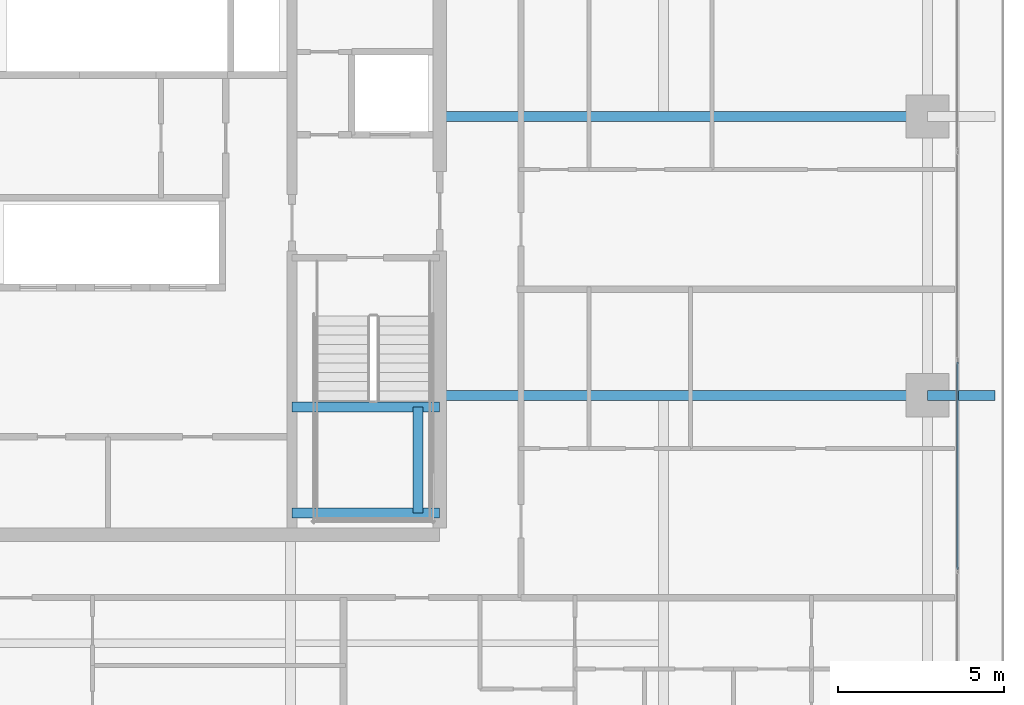
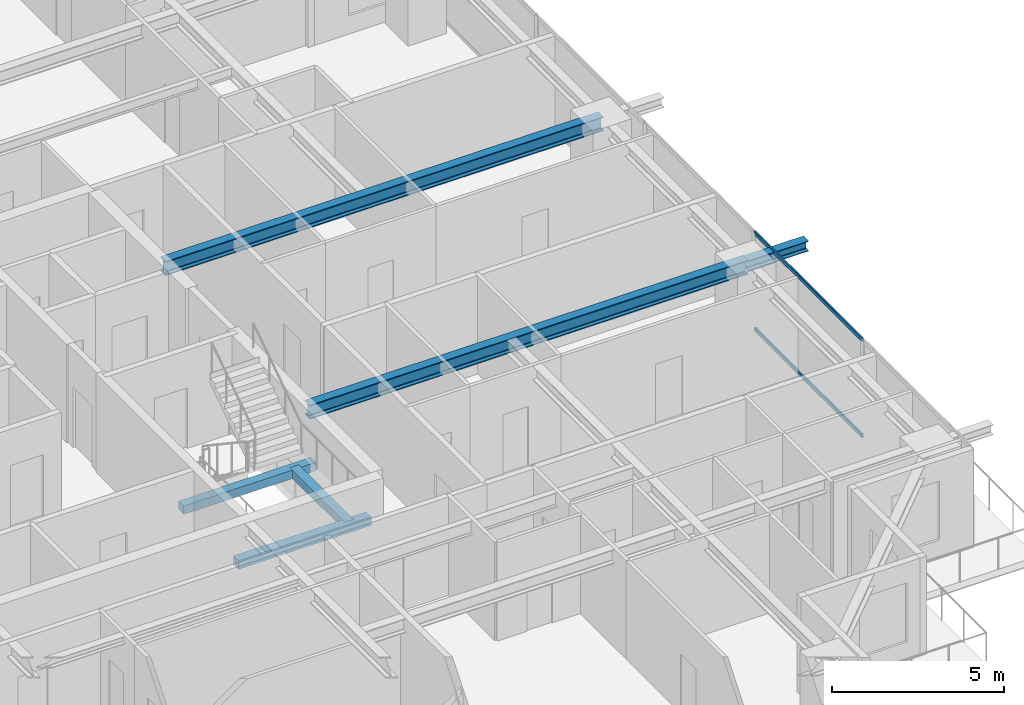
# One storey, part 14 of 39: 6 beams, 2 members, 1 element without a shape of its own.
"""IFC4 building model written with IfcOpenShell, lengths in metres."""

from ifc_helpers import new_model, si_unit, direction, frame, origin, origin_2d, place, context, subcontext, project, spatial, rectangle, hollow_rectangle, i_section, extrude, source, transform, mapped, material, layer, layer_set, material_profile, profile_set, type_object, element, aggregate, save


model = new_model("IFC4")

# Units and contexts
model_context = context("Model", 3, precision=1e-05, world=origin(), true_north=direction((0.0, 1.0)))
body_context = subcontext(model_context, "Body", "Model", "MODEL_VIEW")
ifc_project = project(units=[si_unit("LENGTHUNIT", "METRE"), si_unit("AREAUNIT", "SQUARE_METRE"), si_unit("VOLUMEUNIT", "CUBIC_METRE"), si_unit("PLANEANGLEUNIT", "RADIAN"), si_unit("MASSUNIT", "GRAM", prefix="KILO")], contexts=[model_context])

# Site, building, storey
site_placement = place(None, origin())
site = spatial("IfcSite", under=ifc_project, at=site_placement, CompositionType="ELEMENT")
building_placement = place(site_placement, origin())
building = spatial("IfcBuilding", under=site, at=building_placement, Name="Serunith Strait Residences", CompositionType="ELEMENT")
storey_placement = place(building_placement, frame((0.0, 0.0, 123.89990234375)))
storey = spatial("IfcBuildingStorey", under=building, at=storey_placement, Name="L30", CompositionType="ELEMENT", Elevation=123.89990234375)

# Beams
ifc_material_1 = material(Name="Steel S355J2", Category="steel")
ifc_material_profile_1 = material_profile(ifc_material_1, i_section(OverallWidth=0.300048828125, OverallDepth=0.5, WebThickness=0.014404296875, FlangeThickness=0.028076171875, FilletRadius=0.027099609375, at=origin_2d()), Name="HEB 500")
ifc_profile_set_1 = profile_set([ifc_material_profile_1], Name="Steel S355J2")
beam_type_1 = type_object("IfcBeamType", Name="BM-HEB500", PredefinedType="BEAM", material=ifc_profile_set_1)
shared_shape_1 = source(origin(), body_context, "Body", "SweptSolid", [
    extrude(i_section(OverallWidth=0.300048828125, OverallDepth=0.5, WebThickness=0.014404296875, FlangeThickness=0.028076171875, FilletRadius=0.027099609375, at=origin_2d()), origin(), (0.0, 0.0, 1.0), 14.7001953125),
])
for number, where, z_axis, x_axis, name in (
    (1, (41.39990234375, 21.0, 3.237060546875), (1.0, 0.0, 0.0), (0.0, 1.0, 0.0), "L30 Primary Floor Girder TC-E2"),
    (2, (41.39990234375, 29.39990234375, 3.237060546875), (1.0, 0.0, 0.0), (0.0, 1.0, 0.0), "L30 Primary Floor Girder TC-E3"),
):
    element("IfcBeam", number, at=place(storey_placement, frame(where, z_axis=z_axis, x_axis=x_axis)), inside=storey, type_object=beam_type_1, Name=name, PredefinedType="BEAM", context=body_context, shape_type="MappedRepresentation", body=[
        mapped(shared_shape_1, transform((0.0, 0.0, 0.0), scale=1.0)),
    ])
ifc_material_profile_2 = material_profile(ifc_material_1, i_section(OverallWidth=0.300048828125, OverallDepth=0.360107421875, WebThickness=0.012451171875, FlangeThickness=0.0224609375, FilletRadius=0.027099609375, at=origin_2d()), Name="HEB 360")
ifc_profile_set_2 = profile_set([ifc_material_profile_2], Name="Steel S355J2")
beam_type_2 = type_object("IfcBeamType", Name="BM-HEB360", PredefinedType="BEAM", material=ifc_profile_set_2)
shared_shape_2 = source(origin(), body_context, "Body", "SweptSolid", [
    extrude(i_section(OverallWidth=0.300048828125, OverallDepth=0.360107421875, WebThickness=0.012451171875, FlangeThickness=0.0224609375, FilletRadius=0.027099609375, at=origin_2d()), origin(), (0.0, 0.0, 1.0), 2.02978515625),
])
beam_1_placement = place(storey_placement, frame((56.10009765625, 21.0, 3.277099609375), z_axis=(1.0, 0.0, 0.0), x_axis=(0.0, 1.0, 0.0)))
element("IfcBeam", 3, at=beam_1_placement, inside=storey, type_object=beam_type_2, Name="L31 Cantilevered Balcony Rib TC-E2", PredefinedType="BEAM", context=body_context, shape_type="MappedRepresentation", body=[
    mapped(shared_shape_2, transform((0.0, 0.0, 0.0), scale=1.0)),
])
ifc_material_2 = material(Name="Concrete C60/75", Category="concrete")
ifc_material_profile_3 = material_profile(ifc_material_2, rectangle(XDim=0.300048828125, YDim=0.300048828125, at=origin_2d()), Name="RC 300x300")
ifc_profile_set_3 = profile_set([ifc_material_profile_3], Name="Concrete C60/75")
beam_type_3 = type_object("IfcBeamType", Name="BM-LAND-300x300", PredefinedType="BEAM", material=ifc_profile_set_3)
shared_shape_3 = source(origin(), body_context, "Body", "SweptSolid", [
    extrude(rectangle(XDim=0.300048828125, YDim=0.300048828125, at=origin_2d()), origin(), (0.0, 0.0, 1.0), 3.199951171875),
])
beam_2_placement = place(storey_placement, frame((40.75, 17.449951171875, 1.525146484375), z_axis=(0.0, 1.0, 0.0), x_axis=(-1.0, 0.0, 0.0)))
element("IfcBeam", 4, at=beam_2_placement, inside=storey, type_object=beam_type_3, Name="L30 ST-2 Landing Transverse Tie Beam", PredefinedType="BEAM", context=body_context, shape_type="MappedRepresentation", body=[
    mapped(shared_shape_3, transform((0.0, 0.0, 0.0), scale=1.0)),
])
shared_shape_4 = source(origin(), body_context, "Body", "SweptSolid", [
    extrude(rectangle(XDim=0.300048828125, YDim=0.300048828125, at=origin_2d()), origin(), (0.0, 0.0, 1.0), 4.449951171875),
])
for number, where, z_axis, x_axis, name in (
    (5, (36.949951171875, 17.449951171875, 1.525146484375), (1.0, 0.0, 0.0), (0.0, 1.0, 0.0), "L30 ST-2 Landing Support Beam 1"),
    (6, (36.949951171875, 20.64990234375, 1.525146484375), (1.0, 0.0, 0.0), (0.0, 1.0, 0.0), "L30 ST-2 Landing Support Beam 2"),
):
    element("IfcBeam", number, at=place(storey_placement, frame(where, z_axis=z_axis, x_axis=x_axis)), inside=storey, type_object=beam_type_3, Name=name, PredefinedType="BEAM", context=body_context, shape_type="MappedRepresentation", body=[
        mapped(shared_shape_4, transform((0.0, 0.0, 0.0), scale=1.0)),
    ])

# Curtain wall, members
ifc_material_3 = material(Name="Pale-Champagne Anodised Aluminium", Category="aluminium")
ifc_layer = layer(ifc_material_3, 0.199951171875, Name="Pale-Champagne Anodised Aluminium")
ifc_layer_set = layer_set([ifc_layer], Name="Pale-Champagne Anodised Aluminium")
curtain_wall_type = type_object("IfcCurtainWallType", Name="CW-SYS2", PredefinedType="NOTDEFINED", material=ifc_layer_set)
curtain_wall_placement = place(storey_placement, origin())
curtain_wall = element("IfcCurtainWall", 7, at=curtain_wall_placement, inside=storey, type_object=curtain_wall_type, Name="L30 E Unitised Fritted Curtain Wall", PredefinedType="NOTDEFINED")
ifc_material_profile_4 = material_profile(ifc_material_3, hollow_rectangle(XDim=0.06005859375, YDim=0.139892578125, WallThickness=0.00341796875, InnerFilletRadius=0.00537109375, OuterFilletRadius=0.0087890625, at=origin_2d()), Name="ALU 140x60x3.5")
ifc_profile_set_4 = profile_set([ifc_material_profile_4], Name="Pale-Champagne Anodised Aluminium")
member_type = type_object("IfcMemberType", Name="CW-SYS2-TRAN", PredefinedType="USERDEFINED", material=ifc_profile_set_4)
shared_shape_5 = source(origin(), body_context, "Body", "SweptSolid", [
    extrude(hollow_rectangle(XDim=0.06005859375, YDim=0.139892578125, WallThickness=0.00341796875, InnerFilletRadius=0.00537109375, OuterFilletRadius=0.0087890625, at=origin_2d()), origin(), (0.0, 0.0, 1.0), 6.25),
])
member_1_placement = place(storey_placement, frame((57.0, 15.7548828125, 0.030029296875), z_axis=(0.0, 1.0, 0.0), x_axis=(-1.0, 0.0, 0.0)))
member_1 = element("IfcMember", 8, at=member_1_placement, type_object=member_type, Name="CW-2 transom 2.1", ObjectType="TRANSOM", PredefinedType="USERDEFINED", context=body_context, shape_type="MappedRepresentation", body=[
    mapped(shared_shape_5, transform((0.0, 0.0, 0.0), scale=1.0)),
])
member_2_placement = place(storey_placement, frame((57.0, 15.7548828125, 3.445068359375), z_axis=(0.0, 1.0, 0.0), x_axis=(-1.0, 0.0, 0.0)))
member_2 = element("IfcMember", 9, at=member_2_placement, type_object=member_type, Name="CW-2 transom 2.2", ObjectType="TRANSOM", PredefinedType="USERDEFINED", context=body_context, shape_type="MappedRepresentation", body=[
    mapped(shared_shape_5, transform((0.0, 0.0, 0.0), scale=1.0)),
])
aggregate(curtain_wall, [member_1, member_2])

save(model, "model.ifc")
